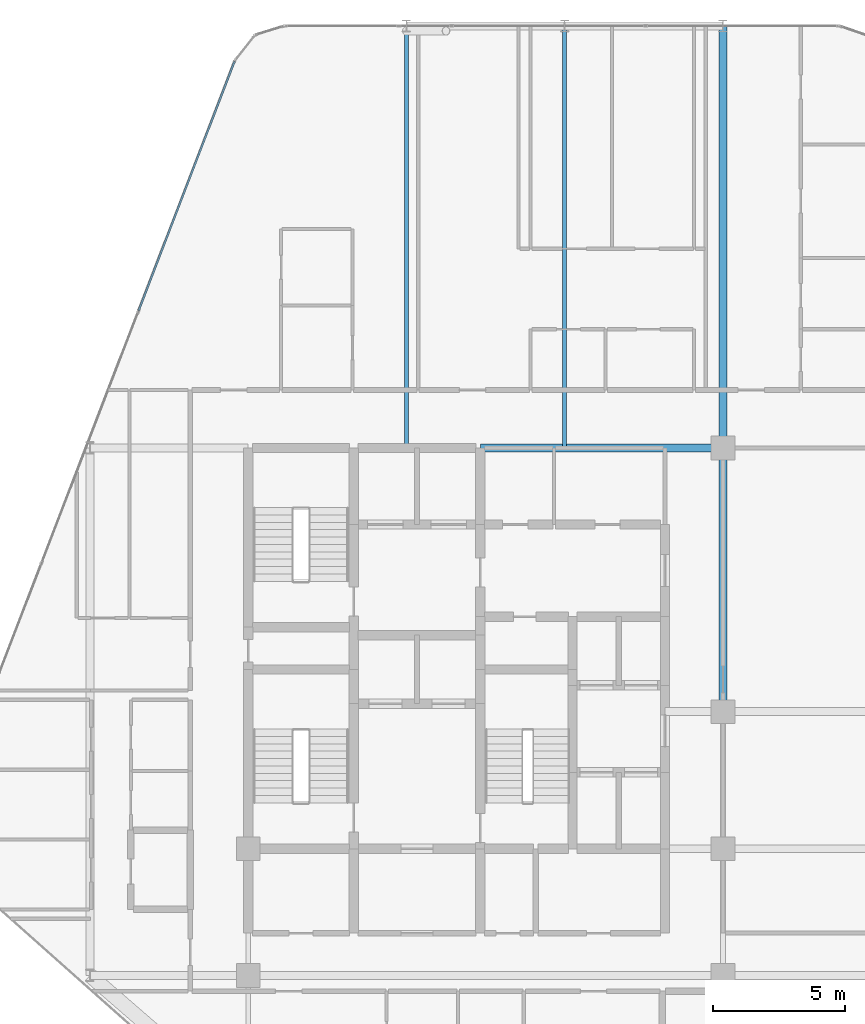
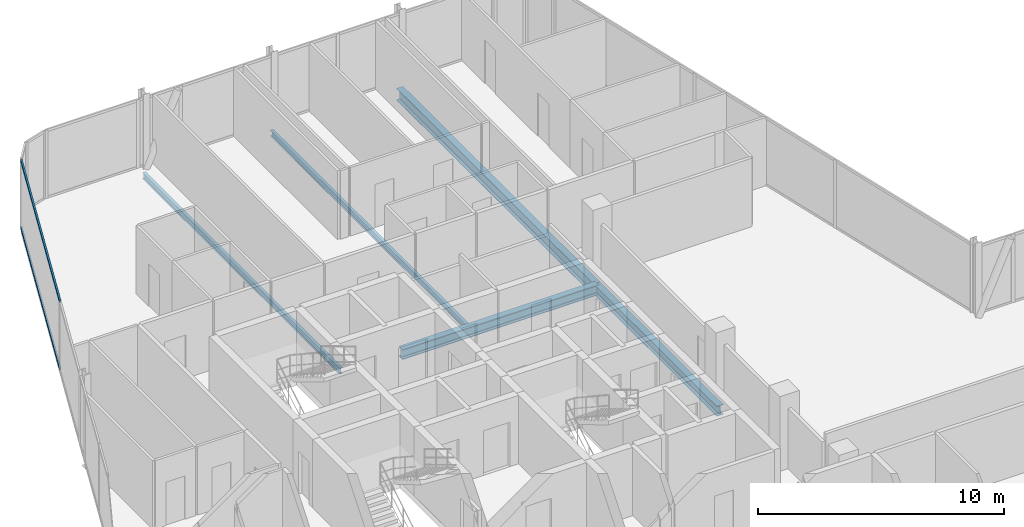
# One storey, part 17 of 29: 5 beams, 2 members, 1 element without a shape of its own.
"""IFC4 building model written with IfcOpenShell, lengths in metres."""

import ifcopenshell
import ifcopenshell.guid

model = None  # the IFC model being written
_history = None  # IfcOwnerHistory: only IFC2X3 demands one
_inside = {}  # id of a spatial element -> (the spatial element, [elements in it])
_under = {}  # id of a project, library or spatial element -> (it, [spatial elements below it])
_declared = {}  # id of a project -> (the project, [libraries it declares])
_typed = {}  # id of a type object -> (the type object, [elements of that type])
_made_of = {}  # id of a material, layer set ... -> (it, [elements and type objects made of it])


def new_model(schema):
    """Start an empty IFC model of exactly this schema.

    Asked for "IFC4X3", IfcOpenShell would pick the latest addendum, in which some entities
    have other attributes; the version numbers below select the first issue.
    IFC2X3 requires an IfcOwnerHistory on every rooted entity: one is made here for all.
    """
    global model, _history
    if schema == "IFC4X3":
        model = ifcopenshell.file(schema_version=(4, 3, 0, 0))
    else:
        model = ifcopenshell.file(schema=schema)
    _inside.clear()
    _under.clear()
    _declared.clear()
    _typed.clear()
    _made_of.clear()
    _history = None
    if model.schema == "IFC2X3":
        org = make("IfcOrganization", Name="unknown")
        user = make(
            "IfcPersonAndOrganization",
            ThePerson=make("IfcPerson", FamilyName="unknown"),
            TheOrganization=org,
        )
        app = make(
            "IfcApplication",
            ApplicationDeveloper=org,
            Version="unknown",
            ApplicationFullName="unknown",
            ApplicationIdentifier="unknown",
        )
        _history = make(
            "IfcOwnerHistory",
            OwningUser=user,
            OwningApplication=app,
            ChangeAction="ADDED",
            CreationDate=0,
        )
    return model


def make(cls, **values):
    """One entity of the class cls with the attributes given. An attribute that is None is left unset."""
    return model.create_entity(
        cls, **{name: value for name, value in values.items() if value is not None}
    )


def rooted(cls, **values):
    """An entity with a GlobalId (a new one), such as an element, a storey or a relation."""
    return make(cls, GlobalId=ifcopenshell.guid.new(), OwnerHistory=_history, **values)


def si_unit(unit_type, name, prefix=None):
    """IfcSIUnit, for example si_unit("LENGTHUNIT", "METRE", prefix="MILLI")."""
    return make("IfcSIUnit", UnitType=unit_type, Prefix=prefix, Name=name)


def assignment(units):
    """IfcUnitAssignment: the units of a project."""
    return None if units is None else make("IfcUnitAssignment", Units=units)


def point(xyz):
    """IfcCartesianPoint."""
    return None if xyz is None else make("IfcCartesianPoint", Coordinates=xyz)


def direction(xyz):
    """IfcDirection."""
    return None if xyz is None else make("IfcDirection", DirectionRatios=xyz)


def frame(location, z_axis=None, x_axis=None):
    """IfcAxis2Placement3D, a coordinate frame: its origin and axes. An axis left out is left unset."""
    return make(
        "IfcAxis2Placement3D",
        Location=point(location),
        Axis=direction(z_axis),
        RefDirection=direction(x_axis),
    )


def frame_2d(location, x_axis=None):
    """IfcAxis2Placement2D, a coordinate frame in the plane: its origin and x axis."""
    return make(
        "IfcAxis2Placement2D", Location=point(location), RefDirection=direction(x_axis)
    )


def origin():
    """The frame at (0, 0, 0) with its axes left unset."""
    return frame((0.0, 0.0, 0.0))


def origin_2d():
    """The frame at (0, 0) in the plane with its x axis left unset."""
    return frame_2d((0.0, 0.0))


def place(relative_to, where):
    """IfcLocalPlacement: puts the frame where relative to a parent placement (None: the world)."""
    return make(
        "IfcLocalPlacement", PlacementRelTo=relative_to, RelativePlacement=where
    )


def context(
    kind, dimensions, precision=None, world=None, true_north=None, identifier=None
):
    """IfcGeometricRepresentationContext, for example the 3D "Model" context."""
    return make(
        "IfcGeometricRepresentationContext",
        ContextIdentifier=identifier,
        ContextType=kind,
        CoordinateSpaceDimension=dimensions,
        Precision=precision,
        WorldCoordinateSystem=world,
        TrueNorth=true_north,
    )


def subcontext(parent, identifier, kind, view, scale=None):
    """IfcGeometricRepresentationSubContext, for example "Body" below "Model"."""
    return make(
        "IfcGeometricRepresentationSubContext",
        ContextIdentifier=identifier,
        ContextType=kind,
        ParentContext=parent,
        TargetScale=scale,
        TargetView=view,
    )


def project(units=None, contexts=None):
    """IfcProject with its units and contexts."""
    return rooted(
        "IfcProject",
        Name="project",
        RepresentationContexts=contexts,
        UnitsInContext=assignment(units),
    )


def spatial(cls, under=None, at=None, **own):
    """A site, building, storey or space (cls), placed at a placement, below another one or the project."""
    s = rooted(cls, ObjectPlacement=at, **own)
    if under is not None:
        _under.setdefault(under.id(), (under, []))[1].append(s)
    return s


def profile(cls, at=None, kind="AREA", **sizes):
    """A parametric profile (cls). Its sizes go by their IFC names, for example OverallWidth=200.0."""
    return make(cls, ProfileType=kind, Position=at, **sizes)


def hollow_rectangle(**sizes):
    """IfcRectangleHollowProfileDef."""
    return profile("IfcRectangleHollowProfileDef", **sizes)


def i_section(**sizes):
    """IfcIShapeProfileDef."""
    return profile("IfcIShapeProfileDef", **sizes)


def extrude(swept, where, along, depth):
    """IfcExtrudedAreaSolid: the profile swept, set in the frame where, extruded along a direction by depth."""
    return make(
        "IfcExtrudedAreaSolid",
        SweptArea=swept,
        Position=where,
        ExtrudedDirection=direction(along),
        Depth=depth,
    )


def shape(context_of_items, identifier, shape_type, items):
    """IfcShapeRepresentation: the items that make up one representation, for example the "Body"."""
    return make(
        "IfcShapeRepresentation",
        ContextOfItems=context_of_items,
        RepresentationIdentifier=identifier,
        RepresentationType=shape_type,
        Items=items,
    )


def material(Name=None, Category=None):
    """IfcMaterial."""
    return make("IfcMaterial", Name=Name, Category=Category)


def layer(
    of_material, thickness, ventilated=None, Name=None, Category=None, Priority=None
):
    """IfcMaterialLayer: one layer of a wall or slab, of a material (None: an air gap)."""
    return make(
        "IfcMaterialLayer",
        Material=of_material,
        LayerThickness=thickness,
        IsVentilated=ventilated,
        Name=Name,
        Category=Category,
        Priority=Priority,
    )


def layer_set(layers, Name=None):
    """IfcMaterialLayerSet."""
    return make("IfcMaterialLayerSet", MaterialLayers=layers, LayerSetName=Name)


def material_profile(
    of_material, cross_section, Name=None, Category=None, Priority=None
):
    """IfcMaterialProfile: a cross section and its material."""
    return make(
        "IfcMaterialProfile",
        Name=Name,
        Material=of_material,
        Profile=cross_section,
        Priority=Priority,
        Category=Category,
    )


def profile_set(profiles, Name=None, composite=None):
    """IfcMaterialProfileSet."""
    return make(
        "IfcMaterialProfileSet",
        Name=Name,
        MaterialProfiles=profiles,
        CompositeProfile=composite,
    )


def made_of(thing, what):
    """Note that an element or type object is made of a material, layer set ...; save() writes the relation."""
    if what is not None:
        _made_of.setdefault(what.id(), (what, []))[1].append(thing)
    return thing


def type_object(cls, material=None, **own):
    """A type object (cls), such as IfcWallType, which elements share."""
    return made_of(rooted(cls, **own), material)


def element(
    cls,
    number,
    at=None,
    inside=None,
    cuts=None,
    type_object=None,
    material=None,
    context=None,
    identifier="Body",
    shape_type=None,
    held_by="IfcProductDefinitionShape",
    body=None,
    shapes=None,
    **own,
):
    """One element of the class cls, such as IfcWall. Its Tag is "e" and its number.

    at: its placement. inside: the storey or other place that contains it. cuts: it is an
    opening in that element (IfcRelVoidsElement). A single representation is given by context,
    identifier, shape_type and body (its items); several are given by shapes. held_by: the class
    of the entity that holds the representations. save() writes the other relations.
    """
    e = rooted(cls, Tag="e%d" % number, ObjectPlacement=at, **own)
    if body is not None:
        shapes = [shape(context, identifier, shape_type, body)]
    if shapes is not None:
        e.Representation = make(held_by, Representations=shapes)
    if inside is not None:
        _inside.setdefault(inside.id(), (inside, []))[1].append(e)
    if cuts is not None:
        rooted(
            "IfcRelVoidsElement", RelatingBuildingElement=cuts, RelatedOpeningElement=e
        )
    if type_object is not None:
        _typed.setdefault(type_object.id(), (type_object, []))[1].append(e)
    return made_of(e, material)


def aggregate(whole, parts):
    """IfcRelAggregates: a whole, such as a stair, and the parts it consists of."""
    return rooted("IfcRelAggregates", RelatingObject=whole, RelatedObjects=parts)


def save(model, path):
    """Write the relations noted so far, then the file.

    IfcRelAggregates (storeys below a building ...), IfcRelContainedInSpatialStructure (elements
    in a storey), IfcRelDefinesByType, IfcRelAssociatesMaterial and IfcRelDeclares: one each for
    every whole, place, type object, material and project.
    """
    for whole, parts in _under.values():
        aggregate(whole, parts)
    for where, things in _inside.values():
        rooted(
            "IfcRelContainedInSpatialStructure",
            RelatedElements=things,
            RelatingStructure=where,
        )
    for kind, things in _typed.values():
        rooted("IfcRelDefinesByType", RelatedObjects=things, RelatingType=kind)
    for what, things in _made_of.values():
        rooted("IfcRelAssociatesMaterial", RelatedObjects=things, RelatingMaterial=what)
    for by, libraries in _declared.values():
        rooted("IfcRelDeclares", RelatingContext=by, RelatedDefinitions=libraries)
    model.write(path)


model = new_model("IFC4")

# Units and contexts
model_context = context("Model", 3, precision=1e-05, world=origin(), true_north=direction((0.0, 1.0)))
body_context = subcontext(model_context, "Body", "Model", "MODEL_VIEW")
ifc_project = project(units=[si_unit("LENGTHUNIT", "METRE"), si_unit("AREAUNIT", "SQUARE_METRE"), si_unit("VOLUMEUNIT", "CUBIC_METRE"), si_unit("PLANEANGLEUNIT", "RADIAN"), si_unit("MASSUNIT", "GRAM", prefix="KILO")], contexts=[model_context])

# Site, building, storey
site_placement = place(None, origin())
site = spatial("IfcSite", under=ifc_project, at=site_placement, CompositionType="ELEMENT")
building_placement = place(site_placement, origin())
building = spatial("IfcBuilding", under=site, at=building_placement, Name="Keshet Zoharim Tower", CompositionType="ELEMENT")
storey_placement = place(building_placement, frame((0.0, 0.0, 169.10009765625)))
storey = spatial("IfcBuildingStorey", under=building, at=storey_placement, Name="L41", CompositionType="ELEMENT", Elevation=169.10009765625)

# Beams
ifc_material_1 = material(Name="Steel S355", Category="steel")
ifc_material_profile_1 = material_profile(ifc_material_1, i_section(OverallWidth=0.14990234375, OverallDepth=0.300048828125, WebThickness=0.007080078125, FlangeThickness=0.0107421875, FilletRadius=0.014892578125, at=origin_2d()), Name="IPE300")
ifc_profile_set_1 = profile_set([ifc_material_profile_1], Name="Steel S355")
beam_type_1 = type_object("IfcBeamType", Name="BM-JST-IP300", PredefinedType="JOIST", material=ifc_profile_set_1)
for number, where, z_axis, x_axis, name in (
    (1, (21.0, 37.89990234375, -0.460205078125), (0.0, 1.0, 0.0), (-1.0, 0.0, 0.0), "L41 Secondary Floor Joist J-001"),
    (2, (27.0, 37.89990234375, -0.460205078125), (0.0, 1.0, 0.0), (-1.0, 0.0, 0.0), "L41 Secondary Floor Joist J-002"),
):
    element("IfcBeam", number, at=place(storey_placement, frame(where, z_axis=z_axis, x_axis=x_axis)), inside=storey, type_object=beam_type_1, Name=name, PredefinedType="JOIST", context=body_context, shape_type="SweptSolid", body=[
        extrude(i_section(OverallWidth=0.14990234375, OverallDepth=0.300048828125, WebThickness=0.007080078125, FlangeThickness=0.0107421875, FilletRadius=0.014892578125, at=origin_2d()), origin(), (0.0, 0.0, 1.0), 16.0),
    ])
ifc_material_profile_2 = material_profile(ifc_material_1, i_section(OverallWidth=0.300048828125, OverallDepth=0.60009765625, WebThickness=0.015380859375, FlangeThickness=0.030029296875, FilletRadius=0.027099609375, at=origin_2d()), Name="HEB600")
ifc_profile_set_2 = profile_set([ifc_material_profile_2], Name="Steel S355")
beam_type_2 = type_object("IfcBeamType", Name="BM-LNG-HB600", PredefinedType="BEAM", material=ifc_profile_set_2)
beam_1_placement = place(storey_placement, frame((33.0, 37.89990234375, -0.610107421875), z_axis=(0.0, 1.0, 0.0), x_axis=(-1.0, 0.0, 0.0)))
element("IfcBeam", 3, at=beam_1_placement, inside=storey, type_object=beam_type_2, Name="L41 Primary Girder Y-011", PredefinedType="BEAM", context=body_context, shape_type="SweptSolid", body=[
    extrude(i_section(OverallWidth=0.300048828125, OverallDepth=0.60009765625, WebThickness=0.015380859375, FlangeThickness=0.030029296875, FilletRadius=0.027099609375, at=origin_2d()), origin(), (0.0, 0.0, 1.0), 16.0),
])
ifc_material_profile_3 = material_profile(ifc_material_1, i_section(OverallWidth=0.300048828125, OverallDepth=0.5, WebThickness=0.014404296875, FlangeThickness=0.028076171875, FilletRadius=0.027099609375, at=origin_2d()), Name="HEB500")
ifc_profile_set_3 = profile_set([ifc_material_profile_3], Name="Steel S355")
beam_type_3 = type_object("IfcBeamType", Name="BM-MED-HB500", PredefinedType="BEAM", material=ifc_profile_set_3)
beam_2_placement = place(storey_placement, frame((23.800048828125, 37.89990234375, -0.56005859375), z_axis=(1.0, 0.0, 0.0), x_axis=(0.0, 1.0, 0.0)))
element("IfcBeam", 4, at=beam_2_placement, inside=storey, type_object=beam_type_3, Name="L41 Primary Girder X-018", PredefinedType="BEAM", context=body_context, shape_type="SweptSolid", body=[
    extrude(i_section(OverallWidth=0.300048828125, OverallDepth=0.5, WebThickness=0.014404296875, FlangeThickness=0.028076171875, FilletRadius=0.027099609375, at=origin_2d()), origin(), (0.0, 0.0, 1.0), 9.199951171875),
])
beam_3_placement = place(storey_placement, frame((33.0, 27.89990234375, -0.56005859375), z_axis=(0.0, 1.0, 0.0), x_axis=(-1.0, 0.0, 0.0)))
element("IfcBeam", 5, at=beam_3_placement, inside=storey, type_object=beam_type_3, Name="L41 Primary Girder Y-010", PredefinedType="BEAM", context=body_context, shape_type="SweptSolid", body=[
    extrude(i_section(OverallWidth=0.300048828125, OverallDepth=0.5, WebThickness=0.014404296875, FlangeThickness=0.028076171875, FilletRadius=0.027099609375, at=origin_2d()), origin(), (0.0, 0.0, 1.0), 10.0),
])

# Curtain wall, members
ifc_material_2 = material(Name="Aluminium 6063-T6", Category="aluminium")
ifc_layer = layer(ifc_material_2, 0.139892578125)
ifc_layer_set = layer_set([ifc_layer], Name="Aluminium 6063-T6")
curtain_wall_type = type_object("IfcCurtainWallType", Name="CW-SYS-05", PredefinedType="NOTDEFINED", material=ifc_layer_set)
curtain_wall_placement = place(storey_placement, origin())
curtain_wall = element("IfcCurtainWall", 6, at=curtain_wall_placement, inside=storey, type_object=curtain_wall_type, Name="L41 Unitised Curtain Wall 13", PredefinedType="NOTDEFINED")
ifc_material_profile_4 = material_profile(ifc_material_2, hollow_rectangle(XDim=0.074951171875, YDim=0.1201171875, WallThickness=0.00390625, at=origin_2d()), Name="TRN-75x120")
ifc_profile_set_4 = profile_set([ifc_material_profile_4], Name="Aluminium 6063-T6")
member_type = type_object("IfcMemberType", Name="CWT-T12", PredefinedType="USERDEFINED", material=ifc_profile_set_4)
member_1_placement = place(storey_placement, frame((10.849609375, 43.10888671875, 0.034912109375), z_axis=(0.358985546764, 0.933343118694, 0.0), x_axis=(-0.933343118694, 0.358985546764, 0.0)))
member_1 = element("IfcMember", 7, at=member_1_placement, type_object=member_type, Name="CW-05 transom 3.1", ObjectType="TRANSOM", PredefinedType="USERDEFINED", context=body_context, shape_type="SweptSolid", body=[
    extrude(hollow_rectangle(XDim=0.074951171875, YDim=0.1201171875, WallThickness=0.00390625, at=origin_2d()), origin(), (0.0, 0.0, 1.0), 10.118408203125),
])
member_2_placement = place(storey_placement, frame((10.849609375, 43.10888671875, 3.35498046875), z_axis=(0.358985546764, 0.933343118694, 0.0), x_axis=(-0.933343118694, 0.358985546764, 0.0)))
member_2 = element("IfcMember", 8, at=member_2_placement, type_object=member_type, Name="CW-05 transom 3.2", ObjectType="TRANSOM", PredefinedType="USERDEFINED", context=body_context, shape_type="SweptSolid", body=[
    extrude(hollow_rectangle(XDim=0.074951171875, YDim=0.1201171875, WallThickness=0.00390625, at=origin_2d()), origin(), (0.0, 0.0, 1.0), 10.118408203125),
])
aggregate(curtain_wall, [member_1, member_2])

save(model, "model.ifc")
